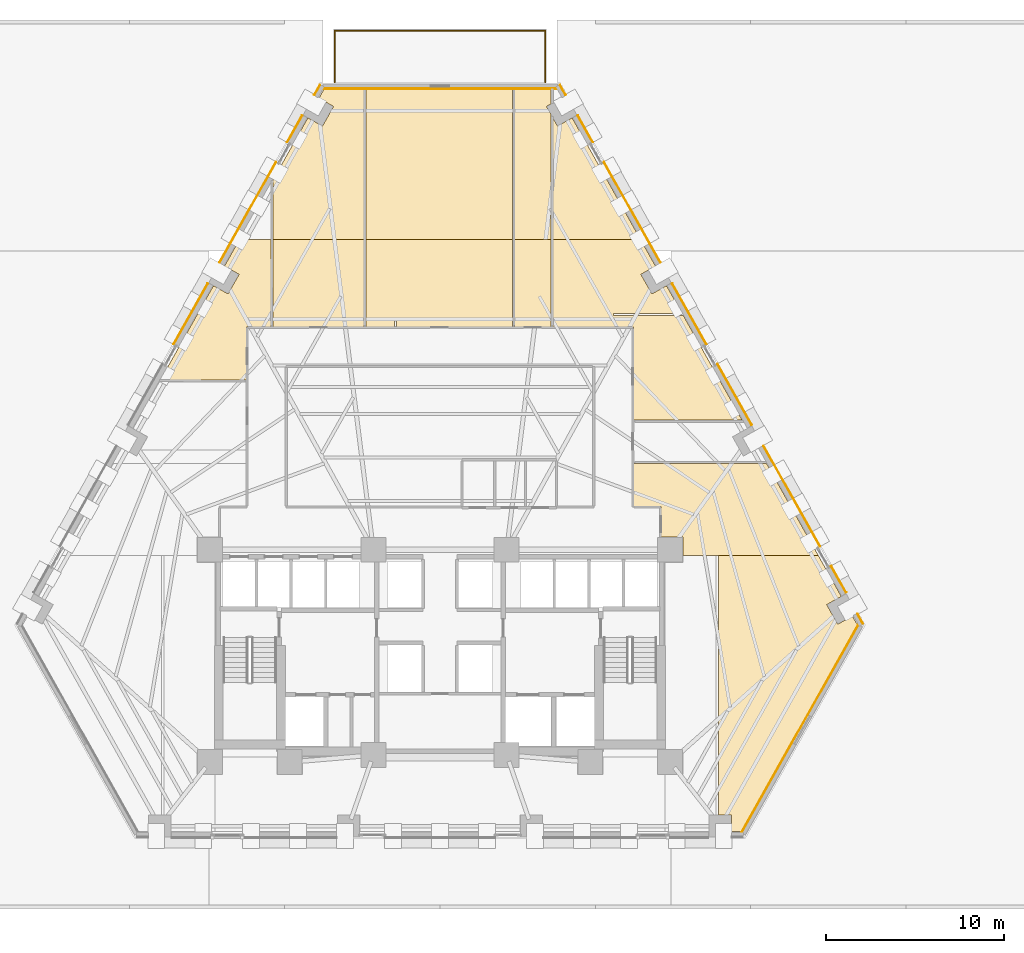
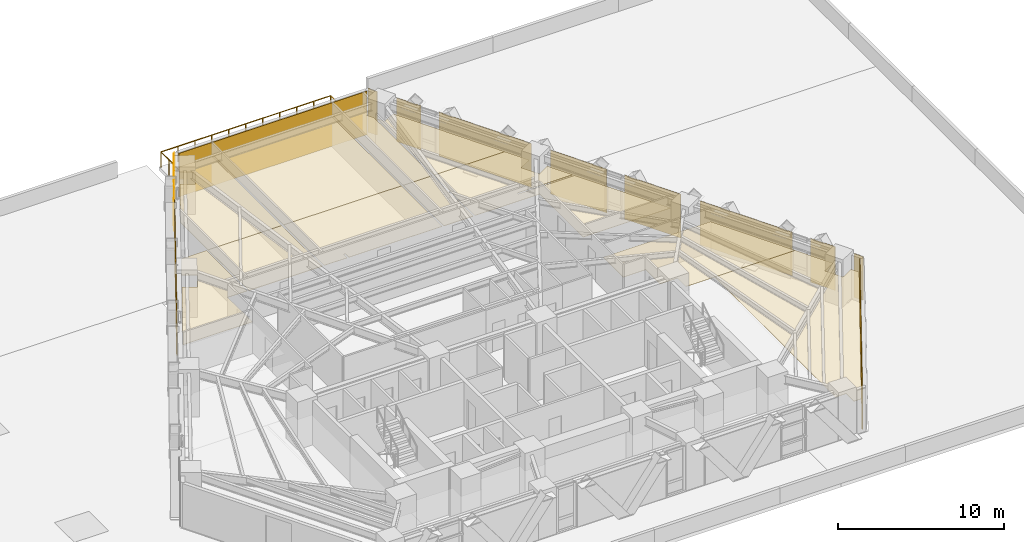
# One storey, part 14 of 14: 25 coverings, 1 railing.
"""IFC4 building model written with IfcOpenShell, lengths in metres."""

from ifc_helpers import new_model, si_unit, direction, frame, origin, origin_2d, place, context, subcontext, project, spatial, polyline, circle, outline, extrude, material, layer, layer_set, type_object, element, save


model = new_model("IFC4")

# Units and contexts
model_context = context("Model", 3, precision=1e-05, world=origin(), true_north=direction((0.0, 1.0)))
body_context = subcontext(model_context, "Body", "Model", "MODEL_VIEW")
ifc_project = project(units=[si_unit("LENGTHUNIT", "METRE"), si_unit("AREAUNIT", "SQUARE_METRE"), si_unit("VOLUMEUNIT", "CUBIC_METRE"), si_unit("PLANEANGLEUNIT", "RADIAN"), si_unit("MASSUNIT", "GRAM", prefix="KILO")], contexts=[model_context])

# Site, building, storey
site_placement = place(None, origin())
site = spatial("IfcSite", under=ifc_project, at=site_placement, CompositionType="ELEMENT")
building_placement = place(site_placement, origin())
building = spatial("IfcBuilding", under=site, at=building_placement, Name="Quenlor Broadcast Tower", CompositionType="ELEMENT")
storey_placement = place(building_placement, frame((0.0, 0.0, 27.60009765625)))
storey = spatial("IfcBuildingStorey", under=building, at=storey_placement, Name="L06", CompositionType="ELEMENT", Elevation=27.60009765625)

# Coverings
ifc_material_1 = material(Name="Acoustic Mineral Fibre Board", Category="other")
ifc_layer_1 = layer(ifc_material_1, 0.02490234375)
ifc_layer_set_1 = layer_set([ifc_layer_1], Name="Acoustic Perforated Mineral Tile Ceiling 25")
covering_type_1 = type_object("IfcCoveringType", Name="Acoustic Perforated Mineral Tile Ceiling 25", PredefinedType="CEILING", material=ifc_layer_set_1)
covering_1_placement = place(storey_placement, frame((0.0, 0.0, 2.224853515625)))
element("IfcCovering", 1, at=covering_1_placement, inside=storey, type_object=covering_type_1, Name="L06 Acoustic Ceiling L06-30", PredefinedType="CEILING", context=body_context, shape_type="SweptSolid", body=[
    extrude(outline(polyline([(-2.56005859375, 7.72998046875), (-4.14990234375, 7.72998046875), (-4.14990234375, 12.64990234375), (4.080078125, 12.64990234375), (4.080078125, 7.72998046875), (-2.43994140625, 7.72998046875), (-2.43994140625, 8.14990234375), (-2.56005859375, 8.14990234375), (-2.56005859375, 7.72998046875)])), origin(), (0.0, 0.0, 1.0), 0.025146484375),
])
covering_2_placement = place(storey_placement, frame((0.0, 0.0, 2.224853515625)))
element("IfcCovering", 2, at=covering_2_placement, inside=storey, type_object=covering_type_1, Name="L06 Acoustic Ceiling L06-30-2", PredefinedType="CEILING", context=body_context, shape_type="SweptSolid", body=[
    extrude(outline(polyline([(-4.14990234375, 21.092041015625), (4.080078125, 21.092041015625), (4.080078125, 12.64990234375), (-4.14990234375, 12.64990234375), (-4.14990234375, 21.092041015625)])), origin(), (0.0, 0.0, 1.0), 0.025146484375),
])
covering_3_placement = place(storey_placement, frame((0.0, 0.0, 2.224853515625)))
element("IfcCovering", 3, at=covering_3_placement, inside=storey, type_object=covering_type_1, Name="L06 Acoustic Ceiling L06-33", PredefinedType="CEILING", context=body_context, shape_type="SweptSolid", body=[
    extrude(outline(polyline([(13.68359375, 8.3798828125), (16.9912109375, 2.5), (10.8798828125, 2.5), (10.8798828125, 7.72998046875), (6.355224609375, 7.72998046875), (6.355224609375, 12.64990234375), (11.28173828125, 12.64990234375), (12.122802734375, 11.154541015625), (11.301025390625, 10.6923828125), (11.921630859375, 9.5888671875), (12.74365234375, 10.05126953125), (13.6162109375, 8.5), (9.75, 8.5), (9.75, 8.3798828125), (13.68359375, 8.3798828125)])), origin(), (0.0, 0.0, 1.0), 0.025146484375),
])
covering_4_placement = place(storey_placement, frame((0.0, 0.0, 2.224853515625)))
element("IfcCovering", 4, at=covering_4_placement, inside=storey, type_object=covering_type_1, Name="L06 Acoustic Ceiling L06-33-2", PredefinedType="CEILING", context=body_context, shape_type="SweptSolid", body=[
    extrude(outline(polyline([(6.355224609375, 19.484619140625), (6.609619140625, 19.03271484375), (7.431396484375, 19.4951171875), (11.28173828125, 12.64990234375), (6.355224609375, 12.64990234375), (6.355224609375, 19.484619140625)])), origin(), (0.0, 0.0, 1.0), 0.025146484375),
])
covering_5_placement = place(storey_placement, frame((0.0, 0.0, 2.224853515625)))
element("IfcCovering", 5, at=covering_5_placement, inside=storey, type_object=covering_type_1, Name="L06 Acoustic Ceiling L06-34", PredefinedType="CEILING", context=body_context, shape_type="SweptSolid", body=[
    extrude(outline(polyline([(-10.8798828125, 4.760009765625), (-15.719970703125, 4.760009765625), (-12.74365234375, 10.05126953125), (-11.921630859375, 9.5888671875), (-11.301025390625, 10.6923828125), (-12.122802734375, 11.154541015625), (-11.28173828125, 12.64990234375), (-9.52001953125, 12.64990234375), (-9.52001953125, 7.72998046875), (-10.8798828125, 7.72998046875), (-10.8798828125, 4.760009765625)])), origin(), (0.0, 0.0, 1.0), 0.025146484375),
])
covering_6_placement = place(storey_placement, frame((0.0, 0.0, 2.224853515625)))
element("IfcCovering", 6, at=covering_6_placement, inside=storey, type_object=covering_type_1, Name="L06 Acoustic Ceiling L06-37-2", PredefinedType="CEILING", context=body_context, shape_type="SweptSolid", body=[
    extrude(outline(polyline([(13.657958984375, -4.092041015625), (12.43994140625, -4.092041015625), (12.43994140625, -2.3701171875), (10.8798828125, -2.3701171875), (10.8798828125, 0.059814453125), (18.36376953125, 0.059814453125), (21.27734375, -5.1201171875), (15.659912109375, -5.1201171875), (15.5400390625, -5.1201171875), (13.657958984375, -5.1201171875), (13.657958984375, -4.092041015625)])), origin(), (0.0, 0.0, 1.0), 0.025146484375),
])
covering_7_placement = place(storey_placement, frame((0.0, 0.0, 2.224853515625)))
element("IfcCovering", 7, at=covering_7_placement, inside=storey, type_object=covering_type_1, Name="L06 Acoustic Ceiling L06-37-6", PredefinedType="CEILING", context=body_context, shape_type="SweptSolid", body=[
    extrude(outline(polyline([(22.575927734375, -7.428466796875), (21.754150390625, -7.890625), (22.374755859375, -8.994140625), (23.196533203125, -8.531982421875), (23.477783203125, -9.031982421875), (16.937255859375, -20.659912109375), (16.398193359375, -20.659912109375), (16.398193359375, -19.717041015625), (15.659912109375, -19.717041015625), (15.659912109375, -5.1201171875), (21.27734375, -5.1201171875), (22.575927734375, -7.428466796875)])), origin(), (0.0, 0.0, 1.0), 0.025146484375),
])
ifc_material_2 = material(Name="Acoustic Gypsum Board", Category="other")
ifc_layer_2 = layer(ifc_material_2, 0.0400390625)
ifc_layer_set_2 = layer_set([ifc_layer_2], Name="Broadcast Studio Spring Isolated Ceiling 40")
covering_type_2 = type_object("IfcCoveringType", Name="Broadcast Studio Spring Isolated Ceiling 40", PredefinedType="CEILING", material=ifc_layer_set_2)
covering_8_placement = place(storey_placement, frame((0.0, 0.0, 2.2099609375)))
element("IfcCovering", 8, at=covering_8_placement, inside=storey, type_object=covering_type_2, Name="L06 Acoustic Ceiling L06-31", PredefinedType="CEILING", context=body_context, shape_type="SweptSolid", body=[
    extrude(outline(polyline([(6.2353515625, 7.72998046875), (4.199951171875, 7.72998046875), (4.199951171875, 12.64990234375), (6.2353515625, 12.64990234375), (6.2353515625, 7.72998046875)])), origin(), (0.0, 0.0, 1.0), 0.0400390625),
])
covering_9_placement = place(storey_placement, frame((0.0, 0.0, 2.2099609375)))
element("IfcCovering", 9, at=covering_9_placement, inside=storey, type_object=covering_type_2, Name="L06 Acoustic Ceiling L06-31-2", PredefinedType="CEILING", context=body_context, shape_type="SweptSolid", body=[
    extrude(outline(polyline([(6.2353515625, 20.274658203125), (5.989013671875, 20.135986328125), (6.2353515625, 19.697998046875), (6.2353515625, 12.64990234375), (4.199951171875, 12.64990234375), (4.199951171875, 21.092041015625), (6.2353515625, 21.092041015625), (6.2353515625, 20.274658203125)])), origin(), (0.0, 0.0, 1.0), 0.0400390625),
])
covering_10_placement = place(storey_placement, frame((0.0, 0.0, 2.2099609375)))
element("IfcCovering", 10, at=covering_10_placement, inside=storey, type_object=covering_type_2, Name="L06 Acoustic Ceiling L06-32", PredefinedType="CEILING", context=body_context, shape_type="SweptSolid", body=[
    extrude(outline(polyline([(-4.27001953125, 7.72998046875), (-9.39990234375, 7.72998046875), (-9.39990234375, 12.64990234375), (-4.27001953125, 12.64990234375), (-4.27001953125, 7.72998046875)])), origin(), (0.0, 0.0, 1.0), 0.0400390625),
])
covering_11_placement = place(storey_placement, frame((0.0, 0.0, 2.2099609375)))
element("IfcCovering", 11, at=covering_11_placement, inside=storey, type_object=covering_type_2, Name="L06 Acoustic Ceiling L06-32-2", PredefinedType="CEILING", context=body_context, shape_type="SweptSolid", body=[
    extrude(outline(polyline([(-7.431396484375, 19.4951171875), (-6.609619140625, 19.03271484375), (-5.989013671875, 20.135986328125), (-6.810791015625, 20.598388671875), (-6.533203125, 21.092041015625), (-4.27001953125, 21.092041015625), (-4.27001953125, 12.64990234375), (-9.39990234375, 12.64990234375), (-9.39990234375, 15.995361328125), (-7.431396484375, 19.4951171875)])), origin(), (0.0, 0.0, 1.0), 0.0400390625),
])
ifc_material_3 = material(Name="Architectural Terracotta Ceramic", Category="masonry")
ifc_layer_3 = layer(ifc_material_3, 0.044921875)
ifc_layer_set_3 = layer_set([ifc_layer_3], Name="Fluted Terracotta Rainscreen Cladding Panel")
covering_type_3 = type_object("IfcCoveringType", Name="Fluted Terracotta Rainscreen Cladding Panel", PredefinedType="CLADDING", material=ifc_layer_set_3)
covering_12_placement = place(storey_placement, frame((0.0, 0.0, 0.02001953125)))
element("IfcCovering", 12, at=covering_12_placement, inside=storey, type_object=covering_type_3, Name="L06 Terracotta Rainscreen Cladding L06-SHD-NES0", PredefinedType="CLADDING", context=body_context, shape_type="SweptSolid", body=[
    extrude(outline(polyline([(6.734130859375, 21.330078125), (7.052001953125, 20.76513671875), (7.09130859375, 20.787109375), (6.7734375, 21.35205078125), (6.734130859375, 21.330078125)])), origin(), (0.0, 0.0, 1.0), 3.2099609375),
])
covering_13_placement = place(storey_placement, frame((0.0, 0.0, 0.02001953125)))
element("IfcCovering", 13, at=covering_13_placement, inside=storey, type_object=covering_type_3, Name="L06 Terracotta Rainscreen Cladding L06-SHD-NES1", PredefinedType="CLADDING", context=body_context, shape_type="SweptSolid", body=[
    extrude(outline(polyline([(23.464111328125, -8.412109375), (23.781982421875, -8.97705078125), (23.8212890625, -8.955078125), (23.50341796875, -8.39013671875), (23.464111328125, -8.412109375)])), origin(), (0.0, 0.0, 1.0), 3.2099609375),
])
covering_14_placement = place(storey_placement, frame((0.0, 0.0, 0.02001953125)))
element("IfcCovering", 14, at=covering_14_placement, inside=storey, type_object=covering_type_3, Name="L06 Terracotta Rainscreen Cladding L06-NEA-SP1", PredefinedType="CLADDING", context=body_context, shape_type="SweptSolid", body=[
    extrude(outline(polyline([(7.735107421875, 19.612060546875), (8.57958984375, 18.110595703125), (8.618896484375, 18.1328125), (7.7744140625, 19.634033203125), (7.735107421875, 19.612060546875)])), origin(), (0.0, 0.0, 1.0), 3.2099609375),
])
covering_15_placement = place(storey_placement, frame((0.0, 0.0, 0.02001953125)))
element("IfcCovering", 15, at=covering_15_placement, inside=storey, type_object=covering_type_3, Name="L06 Terracotta Rainscreen Cladding L06-NEA-SP2", PredefinedType="CLADDING", context=body_context, shape_type="SweptSolid", body=[
    extrude(outline(polyline([(9.201904296875, 17.00439453125), (12.380615234375, 11.353515625), (12.419677734375, 11.37548828125), (9.2412109375, 17.0263671875), (9.201904296875, 17.00439453125)])), origin(), (0.0, 0.0, 1.0), 3.2099609375),
])
covering_16_placement = place(storey_placement, frame((0.0, 0.0, 0.02001953125)))
element("IfcCovering", 16, at=covering_16_placement, inside=storey, type_object=covering_type_3, Name="L06 Terracotta Rainscreen Cladding L06-NEC-SP1", PredefinedType="CLADDING", context=body_context, shape_type="SweptSolid", body=[
    extrude(outline(polyline([(18.18798828125, 1.029052734375), (21.36669921875, -4.621826171875), (21.406005859375, -4.599853515625), (18.227294921875, 1.051025390625), (18.18798828125, 1.029052734375)])), origin(), (0.0, 0.0, 1.0), 3.2099609375),
])
covering_17_placement = place(storey_placement, frame((0.0, 0.0, 0.02001953125)))
element("IfcCovering", 17, at=covering_17_placement, inside=storey, type_object=covering_type_3, Name="L06 Terracotta Rainscreen Cladding L06-NEC-SP2", PredefinedType="CLADDING", context=body_context, shape_type="SweptSolid", body=[
    extrude(outline(polyline([(21.989013671875, -5.728271484375), (22.83349609375, -7.2294921875), (22.872802734375, -7.20751953125), (22.0283203125, -5.706298828125), (21.989013671875, -5.728271484375)])), origin(), (0.0, 0.0, 1.0), 3.2099609375),
])
covering_18_placement = place(storey_placement, frame((0.0, 0.0, 0.02001953125)))
element("IfcCovering", 18, at=covering_18_placement, inside=storey, type_object=covering_type_3, Name="L06 Terracotta Rainscreen Cladding L06-NE-SP1", PredefinedType="CLADDING", context=body_context, shape_type="SweptSolid", body=[
    extrude(outline(polyline([(13.044921875, 10.172607421875), (14.97314453125, 6.744384765625), (15.012451171875, 6.766357421875), (13.083984375, 10.194580078125), (13.044921875, 10.172607421875)])), origin(), (0.0, 0.0, 1.0), 3.2099609375),
])
covering_19_placement = place(storey_placement, frame((0.0, 0.0, 0.02001953125)))
element("IfcCovering", 19, at=covering_19_placement, inside=storey, type_object=covering_type_3, Name="L06 Terracotta Rainscreen Cladding L06-NE-SP2", PredefinedType="CLADDING", context=body_context, shape_type="SweptSolid", body=[
    extrude(outline(polyline([(15.595458984375, 5.63818359375), (17.523681640625, 2.2099609375), (17.56298828125, 2.23193359375), (15.634765625, 5.66015625), (15.595458984375, 5.63818359375)])), origin(), (0.0, 0.0, 1.0), 3.2099609375),
])
covering_20_placement = place(storey_placement, frame((0.0, 0.0, 0.02001953125)))
element("IfcCovering", 20, at=covering_20_placement, inside=storey, type_object=covering_type_3, Name="L06 Terracotta Rainscreen Cladding L06-SHD-NWS1", PredefinedType="CLADDING", context=body_context, shape_type="SweptSolid", body=[
    extrude(outline(polyline([(-7.052001953125, 20.76513671875), (-6.734130859375, 21.330078125), (-6.7734375, 21.35205078125), (-7.09130859375, 20.787109375), (-7.052001953125, 20.76513671875)])), origin(), (0.0, 0.0, 1.0), 3.2099609375),
])
covering_21_placement = place(storey_placement, frame((0.0, 0.0, 0.02001953125)))
element("IfcCovering", 21, at=covering_21_placement, inside=storey, type_object=covering_type_3, Name="L06 Terracotta Rainscreen Cladding L06-NWC-SP1", PredefinedType="CLADDING", context=body_context, shape_type="SweptSolid", body=[
    extrude(outline(polyline([(-12.380615234375, 11.353515625), (-9.201904296875, 17.00439453125), (-9.2412109375, 17.0263671875), (-12.419677734375, 11.37548828125), (-12.380615234375, 11.353515625)])), origin(), (0.0, 0.0, 1.0), 3.2099609375),
])
covering_22_placement = place(storey_placement, frame((0.0, 0.0, 0.02001953125)))
element("IfcCovering", 22, at=covering_22_placement, inside=storey, type_object=covering_type_3, Name="L06 Terracotta Rainscreen Cladding L06-NWC-SP2", PredefinedType="CLADDING", context=body_context, shape_type="SweptSolid", body=[
    extrude(outline(polyline([(-8.57958984375, 18.110595703125), (-7.735107421875, 19.612060546875), (-7.7744140625, 19.634033203125), (-8.618896484375, 18.1328125), (-8.57958984375, 18.110595703125)])), origin(), (0.0, 0.0, 1.0), 3.2099609375),
])
covering_23_placement = place(storey_placement, frame((0.0, 0.0, 0.02001953125)))
element("IfcCovering", 23, at=covering_23_placement, inside=storey, type_object=covering_type_3, Name="L06 Terracotta Rainscreen Cladding L06-NW-SP2", PredefinedType="CLADDING", context=body_context, shape_type="SweptSolid", body=[
    extrude(outline(polyline([(-14.97314453125, 6.744384765625), (-13.044921875, 10.172607421875), (-13.083984375, 10.194580078125), (-15.012451171875, 6.766357421875), (-14.97314453125, 6.744384765625)])), origin(), (0.0, 0.0, 1.0), 3.2099609375),
])
covering_24_placement = place(storey_placement, frame((0.0, 0.0, 0.02001953125)))
element("IfcCovering", 24, at=covering_24_placement, inside=storey, type_object=covering_type_3, Name="L06 Terracotta Rainscreen Cladding L06-CNR-02", PredefinedType="CLADDING", context=body_context, shape_type="SweptSolid", body=[
    extrude(outline(polyline([(6.568359375, 21.159912109375), (-6.558349609375, 21.159912109375), (-6.558349609375, 21.114990234375), (6.568359375, 21.114990234375), (6.568359375, 21.159912109375)])), origin(), (0.0, 0.0, 1.0), 3.2099609375),
])
covering_25_placement = place(storey_placement, frame((0.0, 0.0, 0.02001953125)))
element("IfcCovering", 25, at=covering_25_placement, inside=storey, type_object=covering_type_3, Name="L06 Terracotta Rainscreen Cladding L06-CNR-06", PredefinedType="CLADDING", context=body_context, shape_type="SweptSolid", body=[
    extrude(outline(polyline([(16.98388671875, -20.71533203125), (23.547607421875, -9.046875), (23.50830078125, -9.02490234375), (16.94482421875, -20.693359375), (16.98388671875, -20.71533203125)])), origin(), (0.0, 0.0, 1.0), 3.2099609375),
])

# Railing
ifc_material_4 = material(Name="Anodised Aluminium", Category="aluminium")
railing_type = type_object("IfcRailingType", Name="Laminated Glass and Steel Perimeter Balustrade 1150", PredefinedType="BALUSTRADE", material=ifc_material_4)
railing_placement = place(storey_placement, frame((-5.919921875, 21.47998046875, 0.0)))
element("IfcRailing", 26, at=railing_placement, inside=storey, type_object=railing_type, Name="L06 Outdoor Terrace Perimeter Balustrade", PredefinedType="BALUSTRADE", context=body_context, shape_type="SweptSolid", body=[
    extrude(circle(Radius=0.02392578125, at=origin_2d()), frame((0.0, 0.0, 1.1259765625), z_axis=(0.0, 1.0, 0.0), x_axis=(-1.0, 0.0, 0.0)), (0.0, 0.0, 1.0), 2.919921875),
    extrude(circle(Radius=0.02392578125, at=origin_2d()), frame((0.0, 2.919921875, 1.1259765625), z_axis=(1.0, 0.0, 0.0), x_axis=(0.0, 1.0, 0.0)), (0.0, 0.0, 1.0), 11.83984375),
    extrude(circle(Radius=0.02392578125, at=origin_2d()), frame((11.83984375, 2.919921875, 1.1259765625), z_axis=(0.0, -1.0, 0.0), x_axis=(1.0, 0.0, 0.0)), (0.0, 0.0, 1.0), 2.919921875),
    extrude(circle(Radius=0.02099609375, at=origin_2d()), origin(), (0.0, 0.0, 1.0), 1.101806640625),
    extrude(circle(Radius=0.02099609375, at=origin_2d()), frame((0.0, 0.973388671875, 0.0)), (0.0, 0.0, 1.0), 1.101806640625),
    extrude(circle(Radius=0.02099609375, at=origin_2d()), frame((0.0, 1.946533203125, 0.0)), (0.0, 0.0, 1.0), 1.101806640625),
    extrude(circle(Radius=0.02099609375, at=origin_2d()), frame((0.0, 2.919921875, 0.0)), (0.0, 0.0, 1.0), 1.101806640625),
    extrude(circle(Radius=0.02099609375, at=origin_2d()), frame((1.18408203125, 2.919921875, 0.0)), (0.0, 0.0, 1.0), 1.101806640625),
    extrude(circle(Radius=0.02099609375, at=origin_2d()), frame((2.367919921875, 2.919921875, 0.0)), (0.0, 0.0, 1.0), 1.101806640625),
    extrude(circle(Radius=0.02099609375, at=origin_2d()), frame((3.552001953125, 2.919921875, 0.0)), (0.0, 0.0, 1.0), 1.101806640625),
    extrude(circle(Radius=0.02099609375, at=origin_2d()), frame((4.73583984375, 2.919921875, 0.0)), (0.0, 0.0, 1.0), 1.101806640625),
    extrude(circle(Radius=0.02099609375, at=origin_2d()), frame((5.919921875, 2.919921875, 0.0)), (0.0, 0.0, 1.0), 1.101806640625),
    extrude(circle(Radius=0.02099609375, at=origin_2d()), frame((7.10400390625, 2.919921875, 0.0)), (0.0, 0.0, 1.0), 1.101806640625),
    extrude(circle(Radius=0.02099609375, at=origin_2d()), frame((8.287841796875, 2.919921875, 0.0)), (0.0, 0.0, 1.0), 1.101806640625),
    extrude(circle(Radius=0.02099609375, at=origin_2d()), frame((9.471923828125, 2.919921875, 0.0)), (0.0, 0.0, 1.0), 1.101806640625),
    extrude(circle(Radius=0.02099609375, at=origin_2d()), frame((10.65576171875, 2.919921875, 0.0)), (0.0, 0.0, 1.0), 1.101806640625),
    extrude(circle(Radius=0.02099609375, at=origin_2d()), frame((11.83984375, 2.919921875, 0.0)), (0.0, 0.0, 1.0), 1.101806640625),
    extrude(circle(Radius=0.02099609375, at=origin_2d()), frame((11.83984375, 1.946533203125, 0.0)), (0.0, 0.0, 1.0), 1.101806640625),
    extrude(circle(Radius=0.02099609375, at=origin_2d()), frame((11.83984375, 0.973388671875, 0.0)), (0.0, 0.0, 1.0), 1.101806640625),
    extrude(circle(Radius=0.02099609375, at=origin_2d()), frame((11.83984375, 0.0, 0.0)), (0.0, 0.0, 1.0), 1.101806640625),
])

save(model, "model.ifc")
